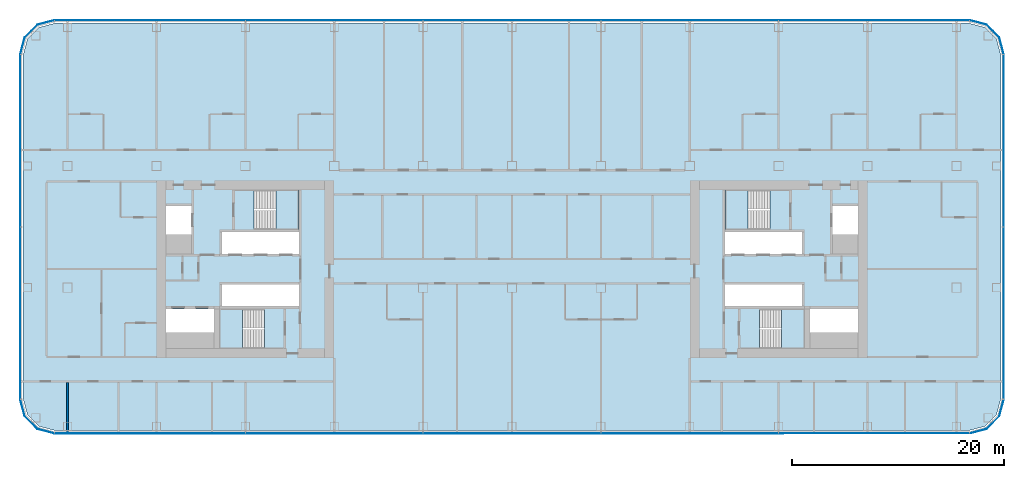
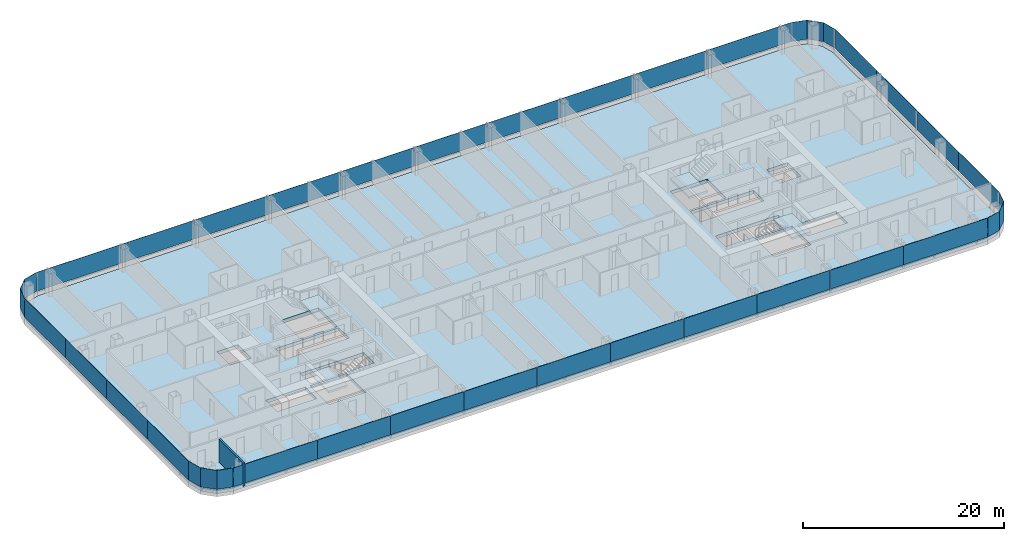
# One storey, part 14 of 29: 32 plates, 5 slabs, 1 wall, 12 elements without a shape of their own.
"""IFC4 building model written with IfcOpenShell, lengths in metres."""

from ifc_helpers import new_model, si_unit, direction, frame, frame_2d, origin, origin_2d, place, context, subcontext, project, spatial, polyline, rectangle, outline, extrude, material, layer, layer_set, type_object, element, aggregate, save


model = new_model("IFC4")

# Units and contexts
model_context = context("Model", 3, precision=1e-05, world=origin(), true_north=direction((0.0, 1.0)))
body_context = subcontext(model_context, "Body", "Model", "MODEL_VIEW")
ifc_project = project(units=[si_unit("LENGTHUNIT", "METRE"), si_unit("AREAUNIT", "SQUARE_METRE"), si_unit("VOLUMEUNIT", "CUBIC_METRE"), si_unit("PLANEANGLEUNIT", "RADIAN"), si_unit("MASSUNIT", "GRAM", prefix="KILO")], contexts=[model_context])

# Site, building, storey
site_placement = place(None, origin())
site = spatial("IfcSite", under=ifc_project, at=site_placement, CompositionType="ELEMENT")
building_placement = place(site_placement, origin())
building = spatial("IfcBuilding", under=site, at=building_placement, Name="Hakoniwa Tower and Hamabe Station Hall", CompositionType="ELEMENT")
storey_placement = place(building_placement, frame((0.0, 0.0, 91.39990234375)))
storey = spatial("IfcBuildingStorey", under=building, at=storey_placement, Name="L25", CompositionType="ELEMENT", Elevation=91.39990234375)

# Stair, slab
ifc_material_1 = material(Name="Concrete C40", Category="concrete")
stair_type = type_object("IfcStairType", Name="ESCAPE STAIR 1800", PredefinedType="HALF_TURN_STAIR", material=ifc_material_1)
stair_1_placement = place(storey_placement, origin())
stair_1 = element("IfcStair", 1, at=stair_1_placement, inside=storey, type_object=stair_type, Name="Escape stair ST-1 L25", PredefinedType="HALF_TURN_STAIR")
ifc_material_2 = material(Name="Concrete C40", Category="concrete")
ifc_layer_1 = layer(ifc_material_2, 0.25)
ifc_layer_set_1 = layer_set([ifc_layer_1], Name="CORE STAIR LANDING 250")
slab_type_1 = type_object("IfcSlabType", Name="CORE STAIR LANDING 250", PredefinedType="LANDING", material=ifc_layer_set_1)
slab_1_placement = place(storey_placement, frame((0.0, 0.0, 1.35009765625)))
slab_1 = element("IfcSlab", 2, at=slab_1_placement, type_object=slab_type_1, Name="ST-1 landing 1", PredefinedType="LANDING", context=body_context, shape_type="SweptSolid", body=[
    extrude(outline(polyline([(-22.320068359375, 3.75), (-20.14990234375, 3.75), (-20.14990234375, 7.5), (-22.320068359375, 7.5), (-22.320068359375, 3.75)])), origin(), (0.0, 0.0, 1.0), 0.25),
])
aggregate(stair_1, [slab_1])

stair_2_placement = place(storey_placement, origin())
stair_2 = element("IfcStair", 3, at=stair_2_placement, inside=storey, type_object=stair_type, Name="Escape stair ST-2 L25", PredefinedType="HALF_TURN_STAIR")
slab_2_placement = place(storey_placement, frame((0.0, 0.0, 1.35009765625)))
slab_2 = element("IfcSlab", 4, at=slab_2_placement, type_object=slab_type_1, Name="ST-2 landing 1", PredefinedType="LANDING", context=body_context, shape_type="SweptSolid", body=[
    extrude(outline(polyline([(-25.47998046875, -7.5), (-27.64990234375, -7.5), (-27.64990234375, -3.75), (-25.47998046875, -3.75), (-25.47998046875, -7.5)])), origin(), (0.0, 0.0, 1.0), 0.25),
])
aggregate(stair_2, [slab_2])

stair_3_placement = place(storey_placement, origin())
stair_3 = element("IfcStair", 5, at=stair_3_placement, inside=storey, type_object=stair_type, Name="Escape stair ST-3 L25", PredefinedType="HALF_TURN_STAIR")
slab_3_placement = place(storey_placement, frame((0.0, 0.0, 1.35009765625)))
slab_3 = element("IfcSlab", 6, at=slab_3_placement, type_object=slab_type_1, Name="ST-3 landing 1", PredefinedType="LANDING", context=body_context, shape_type="SweptSolid", body=[
    extrude(outline(polyline([(22.320068359375, 3.75), (20.14990234375, 3.75), (20.14990234375, 7.5), (22.320068359375, 7.5), (22.320068359375, 3.75)])), origin(), (0.0, 0.0, 1.0), 0.25),
])
aggregate(stair_3, [slab_3])

stair_4_placement = place(storey_placement, origin())
stair_4 = element("IfcStair", 7, at=stair_4_placement, inside=storey, type_object=stair_type, Name="Escape stair ST-4 L25", PredefinedType="HALF_TURN_STAIR")
slab_4_placement = place(storey_placement, frame((0.0, 0.0, 1.35009765625)))
slab_4 = element("IfcSlab", 8, at=slab_4_placement, type_object=slab_type_1, Name="ST-4 landing 1", PredefinedType="LANDING", context=body_context, shape_type="SweptSolid", body=[
    extrude(outline(polyline([(25.47998046875, -7.5), (27.64990234375, -7.5), (27.64990234375, -3.75), (25.47998046875, -3.75), (25.47998046875, -7.5)])), origin(), (0.0, 0.0, 1.0), 0.25),
])
aggregate(stair_4, [slab_4])

# Curtain wall, plates
ifc_material_3 = material(Name="Dark low-e laminated glass", Category="glass")
ifc_layer_2 = layer(ifc_material_3, 0.199951171875)
ifc_layer_set_2 = layer_set([ifc_layer_2], Name="CW-1 UNITISED GUEST")
curtain_wall_type = type_object("IfcCurtainWallType", Name="CW-1 UNITISED GUEST", PredefinedType="NOTDEFINED", material=ifc_layer_set_2)
curtain_wall_1_placement = place(storey_placement, origin())
curtain_wall_1 = element("IfcCurtainWall", 9, at=curtain_wall_1_placement, inside=storey, type_object=curtain_wall_type, Name="CW-1 curtain wall", PredefinedType="NOTDEFINED")
ifc_material_4 = material(Name="Dark low-e laminated glass", Category="glass")
ifc_layer_3 = layer(ifc_material_4, 0.028076171875)
ifc_layer_set_3 = layer_set([ifc_layer_3], Name="CW-1 GLASS UNIT")
plate_type = type_object("IfcPlateType", Name="CW-1 GLASS UNIT", PredefinedType="CURTAIN_PANEL", material=ifc_layer_set_3)
plate_1_placement = place(storey_placement, frame((46.486083984375, -8.217041015625, 0.35009765625), z_axis=(0.0, 0.0, 1.0), x_axis=(0.0, 1.0, 0.0)))
plate_1 = element("IfcPlate", 10, at=plate_1_placement, type_object=plate_type, Name="CW-1 glass unit", PredefinedType="CURTAIN_PANEL", context=body_context, shape_type="SweptSolid", body=[
    extrude(rectangle(XDim=8.124755859375, YDim=0.028076171875, at=origin_2d()), origin(), (0.0, 0.0, 1.0), 2.300048828125),
])
plate_2_placement = place(storey_placement, frame((46.486083984375, -0.072265625, 0.35009765625), z_axis=(0.0, 0.0, 1.0), x_axis=(0.0, 1.0, 0.0)))
plate_2 = element("IfcPlate", 11, at=plate_2_placement, type_object=plate_type, Name="CW-1 glass unit", PredefinedType="CURTAIN_PANEL", context=body_context, shape_type="SweptSolid", body=[
    extrude(rectangle(XDim=8.124755859375, YDim=0.028076171875, at=origin_2d()), origin(), (0.0, 0.0, 1.0), 2.300048828125),
])
plate_3_placement = place(storey_placement, frame((46.486083984375, 8.072265625, 0.35009765625), z_axis=(0.0, 0.0, 1.0), x_axis=(0.0, 1.0, 0.0)))
plate_3 = element("IfcPlate", 12, at=plate_3_placement, type_object=plate_type, Name="CW-1 glass unit", PredefinedType="CURTAIN_PANEL", context=body_context, shape_type="SweptSolid", body=[
    extrude(rectangle(XDim=8.124755859375, YDim=0.028076171875, at=origin_2d()), origin(), (0.0, 0.0, 1.0), 2.300048828125),
])
plate_4_placement = place(storey_placement, frame((46.486083984375, 16.217041015625, 0.35009765625), z_axis=(0.0, 0.0, 1.0), x_axis=(0.0, 1.0, 0.0)))
plate_4 = element("IfcPlate", 13, at=plate_4_placement, type_object=plate_type, Name="CW-1 glass unit", PredefinedType="CURTAIN_PANEL", context=body_context, shape_type="SweptSolid", body=[
    extrude(rectangle(XDim=8.124755859375, YDim=0.028076171875, at=origin_2d()), origin(), (0.0, 0.0, 1.0), 2.300048828125),
])
aggregate(curtain_wall_1, [plate_1, plate_2, plate_3, plate_4])

# Curtain wall, plate
curtain_wall_2_placement = place(storey_placement, origin())
curtain_wall_2 = element("IfcCurtainWall", 14, at=curtain_wall_2_placement, inside=storey, type_object=curtain_wall_type, Name="CW-1 curtain wall", PredefinedType="NOTDEFINED")
plate_5_placement = place(storey_placement, frame((0.0, 0.0, 0.35009765625)))
plate_5 = element("IfcPlate", 15, at=plate_5_placement, type_object=plate_type, Name="CW-1 curved corner unit", PredefinedType="CURTAIN_PANEL", context=body_context, shape_type="SweptSolid", body=[
    extrude(outline(polyline([(46.48974609375, 20.328125), (46.067138671875, 21.9052734375), (44.855224609375, 23.116943359375), (43.278076171875, 23.53955078125), (43.27099609375, 23.5126953125), (44.8408203125, 23.092041015625), (46.0419921875, 21.890869140625), (46.462646484375, 20.32080078125), (46.48974609375, 20.328125)])), origin(), (0.0, 0.0, 1.0), 2.300048828125),
])
aggregate(curtain_wall_2, [plate_5])

# Curtain wall, plates
curtain_wall_3_placement = place(storey_placement, origin())
curtain_wall_3 = element("IfcCurtainWall", 16, at=curtain_wall_3_placement, inside=storey, type_object=curtain_wall_type, Name="CW-1 curtain wall", PredefinedType="NOTDEFINED")
plate_6_placement = place(storey_placement, frame((38.419677734375, 23.535888671875, 0.35009765625), z_axis=(0.0, 0.0, 1.0), x_axis=(-1.0, 0.0, 0.0)))
plate_6 = element("IfcPlate", 17, at=plate_6_placement, type_object=plate_type, Name="CW-1 glass unit", PredefinedType="CURTAIN_PANEL", context=body_context, shape_type="SweptSolid", body=[
    extrude(rectangle(XDim=9.619384765625, YDim=0.028076171875, at=origin_2d()), origin(), (0.0, 0.0, 1.0), 2.300048828125),
])
plate_7_placement = place(storey_placement, frame((29.39990234375, 23.535888671875, 0.35009765625), z_axis=(0.0, 0.0, 1.0), x_axis=(-1.0, 0.0, 0.0)))
plate_7 = element("IfcPlate", 18, at=plate_7_placement, type_object=plate_type, Name="CW-1 glass unit", PredefinedType="CURTAIN_PANEL", context=body_context, shape_type="SweptSolid", body=[
    extrude(rectangle(XDim=8.3798828125, YDim=0.028076171875, at=origin_2d()), origin(), (0.0, 0.0, 1.0), 2.300048828125),
])
plate_8_placement = place(storey_placement, frame((21.0, 23.535888671875, 0.35009765625), z_axis=(0.0, 0.0, 1.0), x_axis=(-1.0, 0.0, 0.0)))
plate_8 = element("IfcPlate", 19, at=plate_8_placement, type_object=plate_type, Name="CW-1 glass unit", PredefinedType="CURTAIN_PANEL", context=body_context, shape_type="SweptSolid", body=[
    extrude(rectangle(XDim=8.3798828125, YDim=0.028076171875, at=origin_2d()), origin(), (0.0, 0.0, 1.0), 2.300048828125),
])
plate_9_placement = place(storey_placement, frame((12.60009765625, 23.535888671875, 0.35009765625), z_axis=(0.0, 0.0, 1.0), x_axis=(-1.0, 0.0, 0.0)))
plate_9 = element("IfcPlate", 20, at=plate_9_placement, type_object=plate_type, Name="CW-1 glass unit", PredefinedType="CURTAIN_PANEL", context=body_context, shape_type="SweptSolid", body=[
    extrude(rectangle(XDim=8.3798828125, YDim=0.028076171875, at=origin_2d()), origin(), (0.0, 0.0, 1.0), 2.300048828125),
])
plate_10_placement = place(storey_placement, frame((4.199951171875, 23.535888671875, 0.35009765625), z_axis=(0.0, 0.0, 1.0), x_axis=(-1.0, 0.0, 0.0)))
plate_10 = element("IfcPlate", 21, at=plate_10_placement, type_object=plate_type, Name="CW-1 glass unit", PredefinedType="CURTAIN_PANEL", context=body_context, shape_type="SweptSolid", body=[
    extrude(rectangle(XDim=8.3798828125, YDim=0.028076171875, at=origin_2d()), origin(), (0.0, 0.0, 1.0), 2.300048828125),
])
plate_11_placement = place(storey_placement, frame((-4.199951171875, 23.535888671875, 0.35009765625), z_axis=(0.0, 0.0, 1.0), x_axis=(-1.0, 0.0, 0.0)))
plate_11 = element("IfcPlate", 22, at=plate_11_placement, type_object=plate_type, Name="CW-1 glass unit", PredefinedType="CURTAIN_PANEL", context=body_context, shape_type="SweptSolid", body=[
    extrude(rectangle(XDim=8.3798828125, YDim=0.028076171875, at=origin_2d()), origin(), (0.0, 0.0, 1.0), 2.300048828125),
])
plate_12_placement = place(storey_placement, frame((-12.60009765625, 23.535888671875, 0.35009765625), z_axis=(0.0, 0.0, 1.0), x_axis=(-1.0, 0.0, 0.0)))
plate_12 = element("IfcPlate", 23, at=plate_12_placement, type_object=plate_type, Name="CW-1 glass unit", PredefinedType="CURTAIN_PANEL", context=body_context, shape_type="SweptSolid", body=[
    extrude(rectangle(XDim=8.3798828125, YDim=0.028076171875, at=origin_2d()), origin(), (0.0, 0.0, 1.0), 2.300048828125),
])
plate_13_placement = place(storey_placement, frame((-21.0, 23.535888671875, 0.35009765625), z_axis=(0.0, 0.0, 1.0), x_axis=(-1.0, 0.0, 0.0)))
plate_13 = element("IfcPlate", 24, at=plate_13_placement, type_object=plate_type, Name="CW-1 glass unit", PredefinedType="CURTAIN_PANEL", context=body_context, shape_type="SweptSolid", body=[
    extrude(rectangle(XDim=8.3798828125, YDim=0.028076171875, at=origin_2d()), origin(), (0.0, 0.0, 1.0), 2.300048828125),
])
plate_14_placement = place(storey_placement, frame((-29.39990234375, 23.535888671875, 0.35009765625), z_axis=(0.0, 0.0, 1.0), x_axis=(-1.0, 0.0, 0.0)))
plate_14 = element("IfcPlate", 25, at=plate_14_placement, type_object=plate_type, Name="CW-1 glass unit", PredefinedType="CURTAIN_PANEL", context=body_context, shape_type="SweptSolid", body=[
    extrude(rectangle(XDim=8.3798828125, YDim=0.028076171875, at=origin_2d()), origin(), (0.0, 0.0, 1.0), 2.300048828125),
])
plate_15_placement = place(storey_placement, frame((-38.419677734375, 23.535888671875, 0.35009765625), z_axis=(0.0, 0.0, 1.0), x_axis=(-1.0, 0.0, 0.0)))
plate_15 = element("IfcPlate", 26, at=plate_15_placement, type_object=plate_type, Name="CW-1 glass unit", PredefinedType="CURTAIN_PANEL", context=body_context, shape_type="SweptSolid", body=[
    extrude(rectangle(XDim=9.619384765625, YDim=0.028076171875, at=origin_2d()), origin(), (0.0, 0.0, 1.0), 2.300048828125),
])
aggregate(curtain_wall_3, [plate_6, plate_7, plate_8, plate_9, plate_10, plate_11, plate_12, plate_13, plate_14, plate_15])

# Curtain wall, plate
curtain_wall_4_placement = place(storey_placement, origin())
curtain_wall_4 = element("IfcCurtainWall", 27, at=curtain_wall_4_placement, inside=storey, type_object=curtain_wall_type, Name="CW-1 curtain wall", PredefinedType="NOTDEFINED")
plate_16_placement = place(storey_placement, frame((0.0, 0.0, 0.35009765625)))
plate_16 = element("IfcPlate", 28, at=plate_16_placement, type_object=plate_type, Name="CW-1 curved corner unit", PredefinedType="CURTAIN_PANEL", context=body_context, shape_type="SweptSolid", body=[
    extrude(outline(polyline([(-43.278076171875, 23.53955078125), (-44.855224609375, 23.116943359375), (-46.067138671875, 21.9052734375), (-46.48974609375, 20.328125), (-46.462646484375, 20.32080078125), (-46.0419921875, 21.890869140625), (-44.8408203125, 23.092041015625), (-43.27099609375, 23.5126953125), (-43.278076171875, 23.53955078125)])), origin(), (0.0, 0.0, 1.0), 2.300048828125),
])
aggregate(curtain_wall_4, [plate_16])

# Curtain wall, plates
curtain_wall_5_placement = place(storey_placement, origin())
curtain_wall_5 = element("IfcCurtainWall", 29, at=curtain_wall_5_placement, inside=storey, type_object=curtain_wall_type, Name="CW-1 curtain wall", PredefinedType="NOTDEFINED")
plate_17_placement = place(storey_placement, frame((-46.486083984375, 16.217041015625, 0.35009765625), z_axis=(0.0, 0.0, 1.0), x_axis=(0.0, -1.0, 0.0)))
plate_17 = element("IfcPlate", 30, at=plate_17_placement, type_object=plate_type, Name="CW-1 glass unit", PredefinedType="CURTAIN_PANEL", context=body_context, shape_type="SweptSolid", body=[
    extrude(rectangle(XDim=8.124755859375, YDim=0.028076171875, at=origin_2d()), origin(), (0.0, 0.0, 1.0), 2.300048828125),
])
plate_18_placement = place(storey_placement, frame((-46.486083984375, 8.072265625, 0.35009765625), z_axis=(0.0, 0.0, 1.0), x_axis=(0.0, -1.0, 0.0)))
plate_18 = element("IfcPlate", 31, at=plate_18_placement, type_object=plate_type, Name="CW-1 glass unit", PredefinedType="CURTAIN_PANEL", context=body_context, shape_type="SweptSolid", body=[
    extrude(rectangle(XDim=8.124755859375, YDim=0.028076171875, at=origin_2d()), origin(), (0.0, 0.0, 1.0), 2.300048828125),
])
plate_19_placement = place(storey_placement, frame((-46.486083984375, -0.072265625, 0.35009765625), z_axis=(0.0, 0.0, 1.0), x_axis=(0.0, -1.0, 0.0)))
plate_19 = element("IfcPlate", 32, at=plate_19_placement, type_object=plate_type, Name="CW-1 glass unit", PredefinedType="CURTAIN_PANEL", context=body_context, shape_type="SweptSolid", body=[
    extrude(rectangle(XDim=8.124755859375, YDim=0.028076171875, at=origin_2d()), origin(), (0.0, 0.0, 1.0), 2.300048828125),
])
plate_20_placement = place(storey_placement, frame((-46.486083984375, -8.217041015625, 0.35009765625), z_axis=(0.0, 0.0, 1.0), x_axis=(0.0, -1.0, 0.0)))
plate_20 = element("IfcPlate", 33, at=plate_20_placement, type_object=plate_type, Name="CW-1 glass unit", PredefinedType="CURTAIN_PANEL", context=body_context, shape_type="SweptSolid", body=[
    extrude(rectangle(XDim=8.124755859375, YDim=0.028076171875, at=origin_2d()), origin(), (0.0, 0.0, 1.0), 2.300048828125),
])
aggregate(curtain_wall_5, [plate_17, plate_18, plate_19, plate_20])

# Curtain wall, plate
curtain_wall_6_placement = place(storey_placement, origin())
curtain_wall_6 = element("IfcCurtainWall", 34, at=curtain_wall_6_placement, inside=storey, type_object=curtain_wall_type, Name="CW-1 curtain wall", PredefinedType="NOTDEFINED")
plate_21_placement = place(storey_placement, frame((0.0, 0.0, 0.35009765625)))
plate_21 = element("IfcPlate", 35, at=plate_21_placement, type_object=plate_type, Name="CW-1 curved corner unit", PredefinedType="CURTAIN_PANEL", context=body_context, shape_type="SweptSolid", body=[
    extrude(outline(polyline([(-46.48974609375, -12.328125), (-46.067138671875, -13.9052734375), (-44.855224609375, -15.116943359375), (-43.278076171875, -15.53955078125), (-43.27099609375, -15.5126953125), (-44.8408203125, -15.092041015625), (-46.0419921875, -13.890869140625), (-46.462646484375, -12.32080078125), (-46.48974609375, -12.328125)])), origin(), (0.0, 0.0, 1.0), 2.300048828125),
])
aggregate(curtain_wall_6, [plate_21])

# Curtain wall, plates
curtain_wall_7_placement = place(storey_placement, origin())
curtain_wall_7 = element("IfcCurtainWall", 36, at=curtain_wall_7_placement, inside=storey, type_object=curtain_wall_type, Name="CW-1 curtain wall", PredefinedType="NOTDEFINED")
plate_22_placement = place(storey_placement, frame((-38.419677734375, -15.535888671875, 0.35009765625), z_axis=(0.0, 0.0, 1.0), x_axis=(1.0, 0.0, 0.0)))
plate_22 = element("IfcPlate", 37, at=plate_22_placement, type_object=plate_type, Name="CW-1 glass unit", PredefinedType="CURTAIN_PANEL", context=body_context, shape_type="SweptSolid", body=[
    extrude(rectangle(XDim=9.619384765625, YDim=0.028076171875, at=origin_2d()), origin(), (0.0, 0.0, 1.0), 2.300048828125),
])
plate_23_placement = place(storey_placement, frame((-29.39990234375, -15.535888671875, 0.35009765625), z_axis=(0.0, 0.0, 1.0), x_axis=(1.0, 0.0, 0.0)))
plate_23 = element("IfcPlate", 38, at=plate_23_placement, type_object=plate_type, Name="CW-1 glass unit", PredefinedType="CURTAIN_PANEL", context=body_context, shape_type="SweptSolid", body=[
    extrude(rectangle(XDim=8.3798828125, YDim=0.028076171875, at=origin_2d()), origin(), (0.0, 0.0, 1.0), 2.300048828125),
])
plate_24_placement = place(storey_placement, frame((-21.0, -15.535888671875, 0.35009765625), z_axis=(0.0, 0.0, 1.0), x_axis=(1.0, 0.0, 0.0)))
plate_24 = element("IfcPlate", 39, at=plate_24_placement, type_object=plate_type, Name="CW-1 glass unit", PredefinedType="CURTAIN_PANEL", context=body_context, shape_type="SweptSolid", body=[
    extrude(rectangle(XDim=8.3798828125, YDim=0.028076171875, at=origin_2d()), origin(), (0.0, 0.0, 1.0), 2.300048828125),
])
plate_25_placement = place(storey_placement, frame((-12.60009765625, -15.535888671875, 0.35009765625), z_axis=(0.0, 0.0, 1.0), x_axis=(1.0, 0.0, 0.0)))
plate_25 = element("IfcPlate", 40, at=plate_25_placement, type_object=plate_type, Name="CW-1 glass unit", PredefinedType="CURTAIN_PANEL", context=body_context, shape_type="SweptSolid", body=[
    extrude(rectangle(XDim=8.3798828125, YDim=0.028076171875, at=origin_2d()), origin(), (0.0, 0.0, 1.0), 2.300048828125),
])
plate_26_placement = place(storey_placement, frame((-4.199951171875, -15.535888671875, 0.35009765625), z_axis=(0.0, 0.0, 1.0), x_axis=(1.0, 0.0, 0.0)))
plate_26 = element("IfcPlate", 41, at=plate_26_placement, type_object=plate_type, Name="CW-1 glass unit", PredefinedType="CURTAIN_PANEL", context=body_context, shape_type="SweptSolid", body=[
    extrude(rectangle(XDim=8.3798828125, YDim=0.028076171875, at=origin_2d()), origin(), (0.0, 0.0, 1.0), 2.300048828125),
])
plate_27_placement = place(storey_placement, frame((4.199951171875, -15.535888671875, 0.35009765625), z_axis=(0.0, 0.0, 1.0), x_axis=(1.0, 0.0, 0.0)))
plate_27 = element("IfcPlate", 42, at=plate_27_placement, type_object=plate_type, Name="CW-1 glass unit", PredefinedType="CURTAIN_PANEL", context=body_context, shape_type="SweptSolid", body=[
    extrude(rectangle(XDim=8.3798828125, YDim=0.028076171875, at=origin_2d()), origin(), (0.0, 0.0, 1.0), 2.300048828125),
])
plate_28_placement = place(storey_placement, frame((12.60009765625, -15.535888671875, 0.35009765625), z_axis=(0.0, 0.0, 1.0), x_axis=(1.0, 0.0, 0.0)))
plate_28 = element("IfcPlate", 43, at=plate_28_placement, type_object=plate_type, Name="CW-1 glass unit", PredefinedType="CURTAIN_PANEL", context=body_context, shape_type="SweptSolid", body=[
    extrude(rectangle(XDim=8.3798828125, YDim=0.028076171875, at=origin_2d()), origin(), (0.0, 0.0, 1.0), 2.300048828125),
])
plate_29_placement = place(storey_placement, frame((21.0, -15.535888671875, 0.35009765625), z_axis=(0.0, 0.0, 1.0), x_axis=(1.0, 0.0, 0.0)))
plate_29 = element("IfcPlate", 44, at=plate_29_placement, type_object=plate_type, Name="CW-1 glass unit", PredefinedType="CURTAIN_PANEL", context=body_context, shape_type="SweptSolid", body=[
    extrude(rectangle(XDim=8.3798828125, YDim=0.028076171875, at=origin_2d()), origin(), (0.0, 0.0, 1.0), 2.300048828125),
])
plate_30_placement = place(storey_placement, frame((29.39990234375, -15.535888671875, 0.35009765625), z_axis=(0.0, 0.0, 1.0), x_axis=(1.0, 0.0, 0.0)))
plate_30 = element("IfcPlate", 45, at=plate_30_placement, type_object=plate_type, Name="CW-1 glass unit", PredefinedType="CURTAIN_PANEL", context=body_context, shape_type="SweptSolid", body=[
    extrude(rectangle(XDim=8.3798828125, YDim=0.028076171875, at=origin_2d()), origin(), (0.0, 0.0, 1.0), 2.300048828125),
])
plate_31_placement = place(storey_placement, frame((38.419677734375, -15.535888671875, 0.35009765625), z_axis=(0.0, 0.0, 1.0), x_axis=(1.0, 0.0, 0.0)))
plate_31 = element("IfcPlate", 46, at=plate_31_placement, type_object=plate_type, Name="CW-1 glass unit", PredefinedType="CURTAIN_PANEL", context=body_context, shape_type="SweptSolid", body=[
    extrude(rectangle(XDim=9.619384765625, YDim=0.028076171875, at=origin_2d()), origin(), (0.0, 0.0, 1.0), 2.300048828125),
])
aggregate(curtain_wall_7, [plate_22, plate_23, plate_24, plate_25, plate_26, plate_27, plate_28, plate_29, plate_30, plate_31])

# Curtain wall, plate
curtain_wall_8_placement = place(storey_placement, origin())
curtain_wall_8 = element("IfcCurtainWall", 47, at=curtain_wall_8_placement, inside=storey, type_object=curtain_wall_type, Name="CW-1 curtain wall", PredefinedType="NOTDEFINED")
plate_32_placement = place(storey_placement, frame((0.0, 0.0, 0.35009765625)))
plate_32 = element("IfcPlate", 48, at=plate_32_placement, type_object=plate_type, Name="CW-1 curved corner unit", PredefinedType="CURTAIN_PANEL", context=body_context, shape_type="SweptSolid", body=[
    extrude(outline(polyline([(43.278076171875, -15.53955078125), (44.855224609375, -15.116943359375), (46.067138671875, -13.9052734375), (46.48974609375, -12.328125), (46.462646484375, -12.32080078125), (46.0419921875, -13.890869140625), (44.8408203125, -15.092041015625), (43.27099609375, -15.5126953125), (43.278076171875, -15.53955078125)])), origin(), (0.0, 0.0, 1.0), 2.300048828125),
])
aggregate(curtain_wall_8, [plate_32])

# Slab
ifc_material_5 = material(Name="Concrete C42", Category="concrete")
ifc_layer_4 = layer(ifc_material_5, 0.39990234375)
ifc_layer_set_4 = layer_set([ifc_layer_4], Name="PT FLAT PLATE 400")
slab_type_2 = type_object("IfcSlabType", Name="PT FLAT PLATE 400", PredefinedType="FLOOR", material=ifc_layer_set_4)
slab_5_placement = place(storey_placement, frame((0.0, 0.0, -0.39990234375)))
element("IfcSlab", 49, at=slab_5_placement, inside=storey, type_object=slab_type_2, Name="Floor slab L25", PredefinedType="FLOOR", context=body_context, shape_type="SweptSolid", body=[
    extrude(outline(polyline([(46.199951171875, -12.25), (46.199951171875, 20.25), (45.798095703125, 21.75), (44.699951171875, 22.84814453125), (43.199951171875, 23.25), (-43.199951171875, 23.25), (-44.699951171875, 22.84814453125), (-45.798095703125, 21.75), (-46.199951171875, 20.25), (-46.199951171875, -12.25), (-45.798095703125, -13.75), (-44.699951171875, -14.84814453125), (-43.199951171875, -15.25), (43.199951171875, -15.25), (44.699951171875, -14.84814453125), (45.798095703125, -13.75), (46.199951171875, -12.25)]), holes=[polyline([(-27.39990234375, 1.449951171875), (-27.39990234375, 3.5), (-20.14990234375, 3.5), (-20.14990234375, 1.449951171875), (-27.39990234375, 1.449951171875)]), polyline([(-27.39990234375, -3.5), (-27.39990234375, -1.449951171875), (-20.14990234375, -1.449951171875), (-20.14990234375, -3.5), (-27.39990234375, -3.5)]), polyline([(-32.699951171875, 3.300048828125), (-32.699951171875, 5.949951171875), (-30.300048828125, 5.949951171875), (-30.300048828125, 3.300048828125), (-32.699951171875, 3.300048828125)]), polyline([(-32.699951171875, -6.0), (-32.699951171875, -3.75), (-28.14990234375, -3.75), (-28.14990234375, -6.0), (-32.699951171875, -6.0)]), polyline([(-24.389892578125, 3.75), (-24.389892578125, 7.5), (-20.14990234375, 7.5), (-20.14990234375, 3.75), (-24.389892578125, 3.75)]), polyline([(-27.64990234375, -7.5), (-27.64990234375, -3.75), (-23.409912109375, -3.75), (-23.409912109375, -7.5), (-27.64990234375, -7.5)]), polyline([(20.14990234375, 1.449951171875), (20.14990234375, 3.5), (27.39990234375, 3.5), (27.39990234375, 1.449951171875), (20.14990234375, 1.449951171875)]), polyline([(20.14990234375, -3.5), (20.14990234375, -1.449951171875), (27.39990234375, -1.449951171875), (27.39990234375, -3.5), (20.14990234375, -3.5)]), polyline([(30.300048828125, 3.300048828125), (30.300048828125, 5.949951171875), (32.699951171875, 5.949951171875), (32.699951171875, 3.300048828125), (30.300048828125, 3.300048828125)]), polyline([(28.14990234375, -6.0), (28.14990234375, -3.75), (32.699951171875, -3.75), (32.699951171875, -6.0), (28.14990234375, -6.0)]), polyline([(20.14990234375, 3.75), (20.14990234375, 7.5), (24.389892578125, 7.5), (24.389892578125, 3.75), (20.14990234375, 3.75)]), polyline([(23.409912109375, -7.5), (23.409912109375, -3.75), (27.64990234375, -3.75), (27.64990234375, -7.5), (23.409912109375, -7.5)])]), origin(), (0.0, 0.0, 1.0), 0.39990234375),
])

# Wall
ifc_material_6 = material(Name="Fire-rated gypsum board partition", Category="gypsum")
ifc_layer_5 = layer(ifc_material_6, 0.199951171875)
ifc_layer_set_5 = layer_set([ifc_layer_5], Name="Party Wall 200")
wall_type = type_object("IfcWallType", Name="Party Wall 200", PredefinedType="PARTITIONING", material=ifc_layer_set_5)
wall_placement = place(storey_placement, frame((-42.0, -15.550048828125, 0.0), z_axis=(0.0, 0.0, 1.0), x_axis=(0.0, 1.0, 0.0)))
element("IfcWall", 50, at=wall_placement, inside=storey, type_object=wall_type, Name="GW-L25-027", PredefinedType="PARTITIONING", context=body_context, shape_type="SweptSolid", body=[
    extrude(rectangle(XDim=4.85009765625, YDim=0.199951171875, at=frame_2d((2.425048828125, 0.0))), origin(), (0.0, 0.0, 1.0), 2.800048828125),
])

save(model, "model.ifc")
